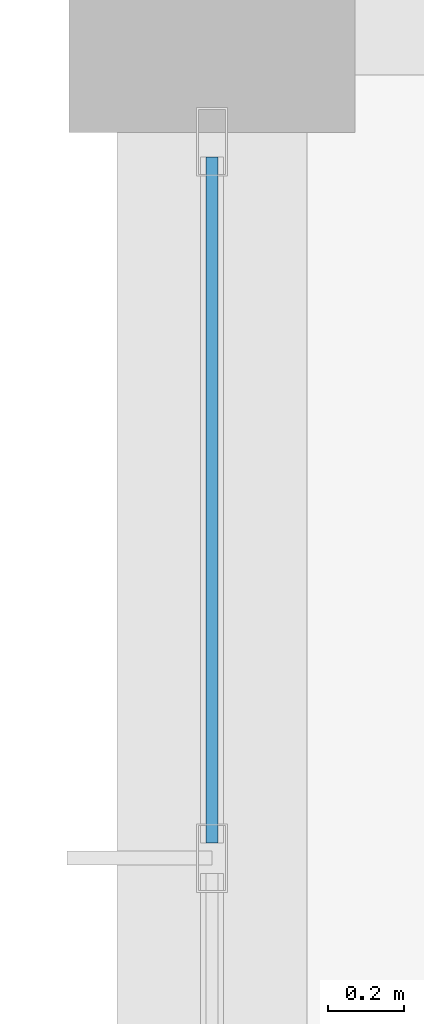
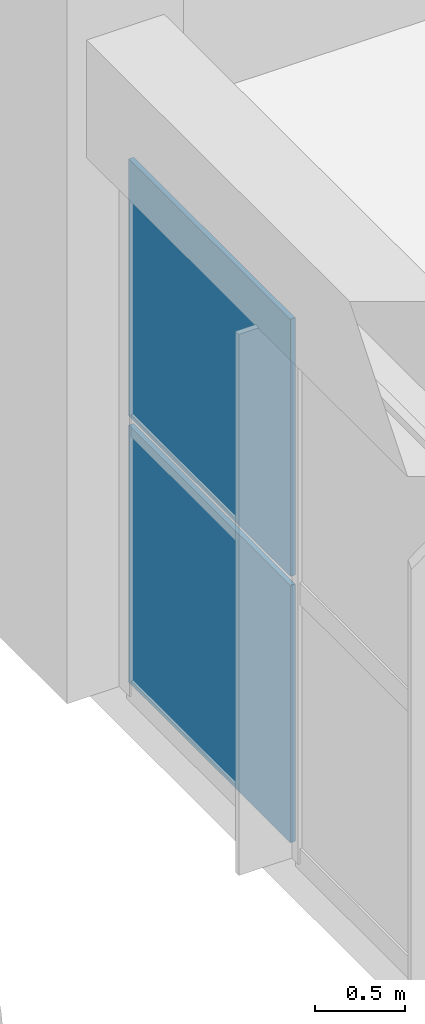
# One storey, part 142 of 175: 2 plates, 1 element without a shape of its own.
"""IFC4 building model written with IfcOpenShell, lengths in metres."""

from ifc_helpers import new_model, si_unit, direction, frame, origin, origin_2d, place, context, subcontext, project, spatial, rectangle, extrude, material, layer, layer_set, type_object, element, aggregate, save


model = new_model("IFC4")

# Units and contexts
model_context = context("Model", 3, precision=1e-05, world=origin(), true_north=direction((0.0, 1.0)))
body_context = subcontext(model_context, "Body", "Model", "MODEL_VIEW")
ifc_project = project(units=[si_unit("LENGTHUNIT", "METRE"), si_unit("AREAUNIT", "SQUARE_METRE"), si_unit("VOLUMEUNIT", "CUBIC_METRE"), si_unit("PLANEANGLEUNIT", "RADIAN"), si_unit("MASSUNIT", "GRAM", prefix="KILO")], contexts=[model_context])

# Site, building, storey
site_placement = place(None, origin())
site = spatial("IfcSite", under=ifc_project, at=site_placement, CompositionType="ELEMENT")
building_placement = place(site_placement, origin())
building = spatial("IfcBuilding", under=site, at=building_placement, Name="Zizhar Promenade General Hospital", CompositionType="ELEMENT")
storey_placement = place(building_placement, frame((0.0, 0.0, 4.800048828125)))
storey = spatial("IfcBuildingStorey", under=building, at=storey_placement, Name="L01", CompositionType="ELEMENT", Elevation=4.800048828125)

# Curtain wall, plates
ifc_material_1 = material(Name="Anodised aluminium 6063-T6 and low-E glass", Category="aluminium")
ifc_layer_1 = layer(ifc_material_1, 0.159912109375)
ifc_layer_set_1 = layer_set([ifc_layer_1], Name="Anodised aluminium 6063-T6 and low-E glass")
curtain_wall_type = type_object("IfcCurtainWallType", Name="CW-DT-MOD1", PredefinedType="NOTDEFINED", material=ifc_layer_set_1)
curtain_wall_placement = place(storey_placement, origin())
curtain_wall = element("IfcCurtainWall", 1, at=curtain_wall_placement, inside=storey, type_object=curtain_wall_type, Name="Surgical West Glazed Curtain Wall L01-14", PredefinedType="NOTDEFINED")
ifc_material_2 = material(Name="Low-E solar-control glass", Category="glass")
ifc_layer_2 = layer(ifc_material_2, 0.031982421875)
ifc_layer_set_2 = layer_set([ifc_layer_2], Name="Low-E solar-control glass")
plate_type = type_object("IfcPlateType", Name="CWP-GLZ-32", PredefinedType="CURTAIN_PANEL", material=ifc_layer_set_2)
plate_1_placement = place(storey_placement, frame((46.800048828125, 124.659912109375, 0.06005859375), z_axis=(0.0, 0.0, 1.0), x_axis=(0.0, 1.0, 0.0)))
plate_1 = element("IfcPlate", 2, at=plate_1_placement, type_object=plate_type, Name="CW-07 panel 4.1", PredefinedType="CURTAIN_PANEL", context=body_context, shape_type="SweptSolid", body=[
    extrude(rectangle(XDim=1.800048828125, YDim=0.031982421875, at=origin_2d()), origin(), (0.0, 0.0, 1.0), 1.75),
])
plate_2_placement = place(storey_placement, frame((46.800048828125, 124.659912109375, 1.869873046875), z_axis=(0.0, 0.0, 1.0), x_axis=(0.0, 1.0, 0.0)))
plate_2 = element("IfcPlate", 3, at=plate_2_placement, type_object=plate_type, Name="CW-07 panel 4.2", PredefinedType="CURTAIN_PANEL", context=body_context, shape_type="SweptSolid", body=[
    extrude(rectangle(XDim=1.800048828125, YDim=0.031982421875, at=origin_2d()), origin(), (0.0, 0.0, 1.0), 1.75),
])
aggregate(curtain_wall, [plate_1, plate_2])

save(model, "model.ifc")
